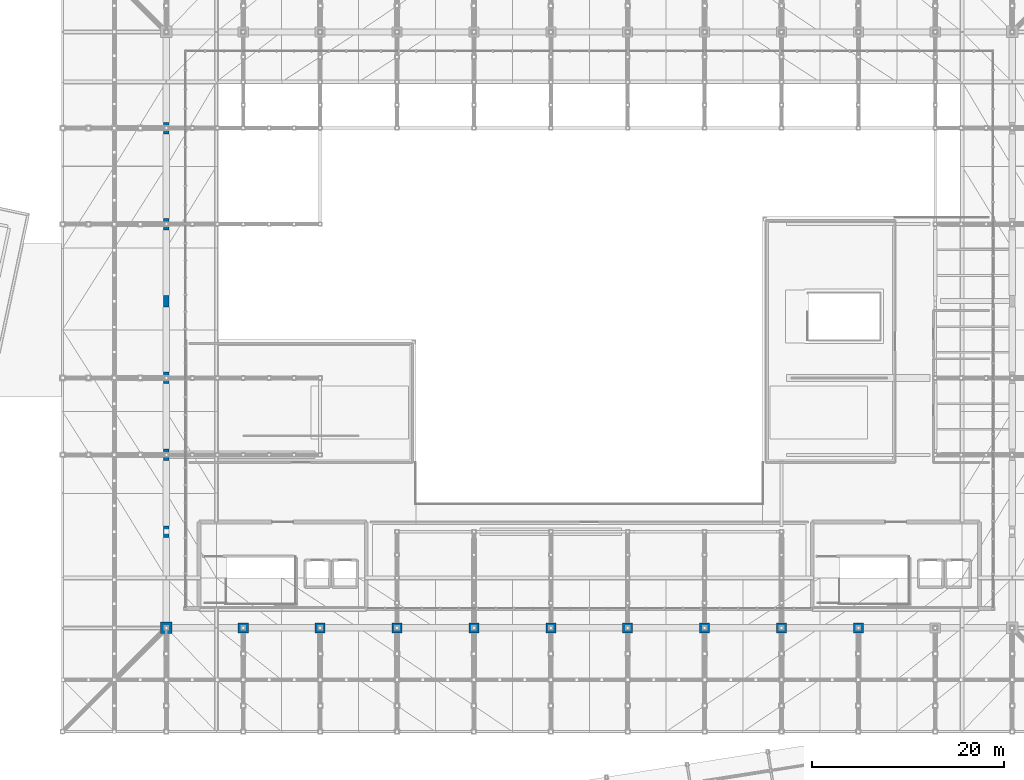
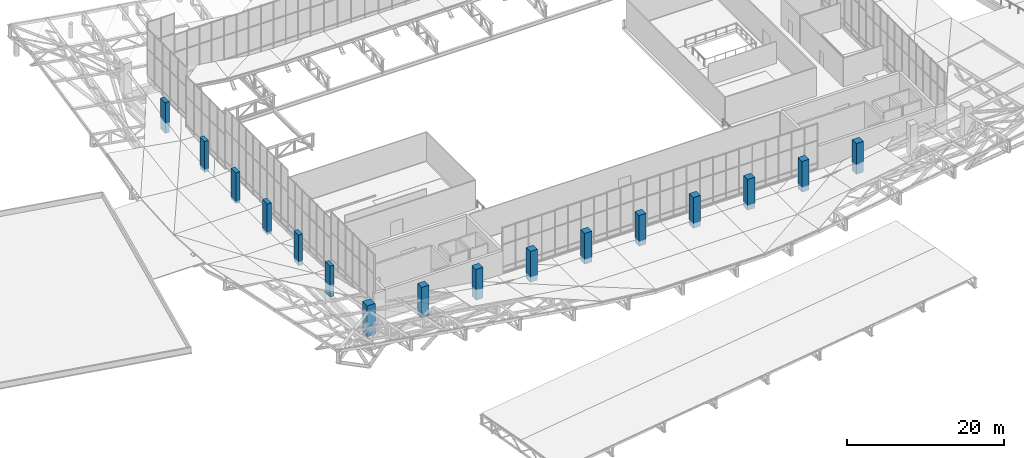
# One storey, part 1 of 137: 16 columns.
"""IFC4 building model written with IfcOpenShell, lengths in metres."""

from ifc_helpers import new_model, si_unit, direction, frame, origin, origin_2d, place, context, subcontext, project, spatial, rectangle, extrude, material, material_profile, profile_set, type_object, element, save


model = new_model("IFC4")

# Units and contexts
model_context = context("Model", 3, precision=1e-05, world=origin(), true_north=direction((0.0, 1.0)))
body_context = subcontext(model_context, "Body", "Model", "MODEL_VIEW")
ifc_project = project(units=[si_unit("LENGTHUNIT", "METRE"), si_unit("AREAUNIT", "SQUARE_METRE"), si_unit("VOLUMEUNIT", "CUBIC_METRE"), si_unit("PLANEANGLEUNIT", "RADIAN"), si_unit("MASSUNIT", "GRAM", prefix="KILO")], contexts=[model_context])

# Site, building, storey
site_placement = place(None, origin())
site = spatial("IfcSite", under=ifc_project, at=site_placement, CompositionType="ELEMENT")
building_placement = place(site_placement, origin())
building = spatial("IfcBuilding", under=site, at=building_placement, Name="Khorjan Park Terminus", CompositionType="ELEMENT")
storey_placement = place(building_placement, frame((0.0, 0.0, 11.4)))
storey = spatial("IfcBuildingStorey", under=building, at=storey_placement, Name="L02", CompositionType="ELEMENT", Elevation=11.4)

# Columns
ifc_material = material(Name="Concrete C50/60", Category="concrete")
ifc_material_profile_1 = material_profile(ifc_material, rectangle(XDim=0.6, YDim=1.2, at=origin_2d()), Name="RC 600x1200")
ifc_profile_set_1 = profile_set([ifc_material_profile_1], Name="Concrete C50/60")
column_type_1 = type_object("IfcColumnType", Name="COL-BL1200", PredefinedType="COLUMN", material=ifc_profile_set_1)
for number, where, z_axis, x_axis, name in (
    (1, (48.0, 36.0, 0.0), (0.0, 0.0, 1.0), (1.0, 0.0, 0.0), "Structural column C-BL12 (L02 #238)"),
    (2, (48.0, 44.0, 0.0), (0.0, 0.0, 1.0), (1.0, 0.0, 0.0), "Structural column C-BL12 (L02 #243)"),
    (3, (48.0, 52.0, 0.0), (0.0, 0.0, 1.0), (1.0, 0.0, 0.0), "Structural column C-BL12 (L02 #248)"),
    (4, (48.0, 60.0, 0.0), (0.0, 0.0, 1.0), (1.0, 0.0, 0.0), "Structural column C-BL12 (L02 #253)"),
    (5, (48.0, 68.0, 0.0), (0.0, 0.0, 1.0), (1.0, 0.0, 0.0), "Structural column C-BL12 (L02 #258)"),
    (6, (48.0, 78.0, 0.0), (0.0, 0.0, 1.0), (1.0, 0.0, 0.0), "Structural column C-BL12 (L02 #263)"),
):
    element("IfcColumn", number, at=place(storey_placement, frame(where, z_axis=z_axis, x_axis=x_axis)), inside=storey, type_object=column_type_1, Name=name, PredefinedType="COLUMN", context=body_context, shape_type="SweptSolid", body=[
        extrude(rectangle(XDim=0.6, YDim=1.2, at=origin_2d()), origin(), (0.0, 0.0, 1.0), 4.8),
    ])
ifc_material_profile_2 = material_profile(ifc_material, rectangle(XDim=1.05, YDim=1.05, at=origin_2d()), Name="RC 1050x1050")
ifc_profile_set_2 = profile_set([ifc_material_profile_2], Name="Concrete C50/60")
column_type_2 = type_object("IfcColumnType", Name="COL-RC1050", PredefinedType="COLUMN", material=ifc_profile_set_2)
for number, where, z_axis, x_axis, name in (
    (7, (56.0, 26.0, 0.0), (0.0, 0.0, 1.0), (1.0, 0.0, 0.0), "Structural column C-RC105 (L02 #273)"),
    (8, (64.0, 26.0, 0.0), (0.0, 0.0, 1.0), (1.0, 0.0, 0.0), "Structural column C-RC105 (L02 #288)"),
    (9, (72.0, 26.0, 0.0), (0.0, 0.0, 1.0), (1.0, 0.0, 0.0), "Structural column C-RC105 (L02 #311)"),
    (10, (80.0, 26.0, 0.0), (0.0, 0.0, 1.0), (1.0, 0.0, 0.0), "Structural column C-RC105 (L02 #327)"),
    (11, (88.0, 26.0, 0.0), (0.0, 0.0, 1.0), (1.0, 0.0, 0.0), "Structural column C-RC105 (L02 #348)"),
    (12, (96.0, 26.0, 0.0), (0.0, 0.0, 1.0), (1.0, 0.0, 0.0), "Structural column C-RC105 (L02 #364)"),
    (13, (104.0, 26.0, 0.0), (0.0, 0.0, 1.0), (1.0, 0.0, 0.0), "Structural column C-RC105 (L02 #385)"),
    (14, (112.0, 26.0, 0.0), (0.0, 0.0, 1.0), (1.0, 0.0, 0.0), "Structural column C-RC105 (L02 #401)"),
    (15, (120.0, 26.0, 0.0), (0.0, 0.0, 1.0), (1.0, 0.0, 0.0), "Structural column C-RC105 (L02 #429)"),
):
    element("IfcColumn", number, at=place(storey_placement, frame(where, z_axis=z_axis, x_axis=x_axis)), inside=storey, type_object=column_type_2, Name=name, PredefinedType="COLUMN", context=body_context, shape_type="SweptSolid", body=[
        extrude(rectangle(XDim=1.05, YDim=1.05, at=origin_2d()), origin(), (0.0, 0.0, 1.0), 4.8),
    ])
ifc_material_profile_3 = material_profile(ifc_material, rectangle(XDim=1.2, YDim=1.2, at=origin_2d()), Name="RC 1200x1200")
ifc_profile_set_3 = profile_set([ifc_material_profile_3], Name="Concrete C50/60")
column_type_3 = type_object("IfcColumnType", Name="COL-RC1200", PredefinedType="COLUMN", material=ifc_profile_set_3)
column_placement = place(storey_placement, frame((48.0, 26.0, 0.0), z_axis=(0.0, 0.0, 1.0), x_axis=(1.0, 0.0, 0.0)))
element("IfcColumn", 16, at=column_placement, inside=storey, type_object=column_type_3, Name="Structural column C-RC12 (L02 #233)", PredefinedType="COLUMN", context=body_context, shape_type="SweptSolid", body=[
    extrude(rectangle(XDim=1.2, YDim=1.2, at=origin_2d()), origin(), (0.0, 0.0, 1.0), 4.8),
])

save(model, "model.ifc")
